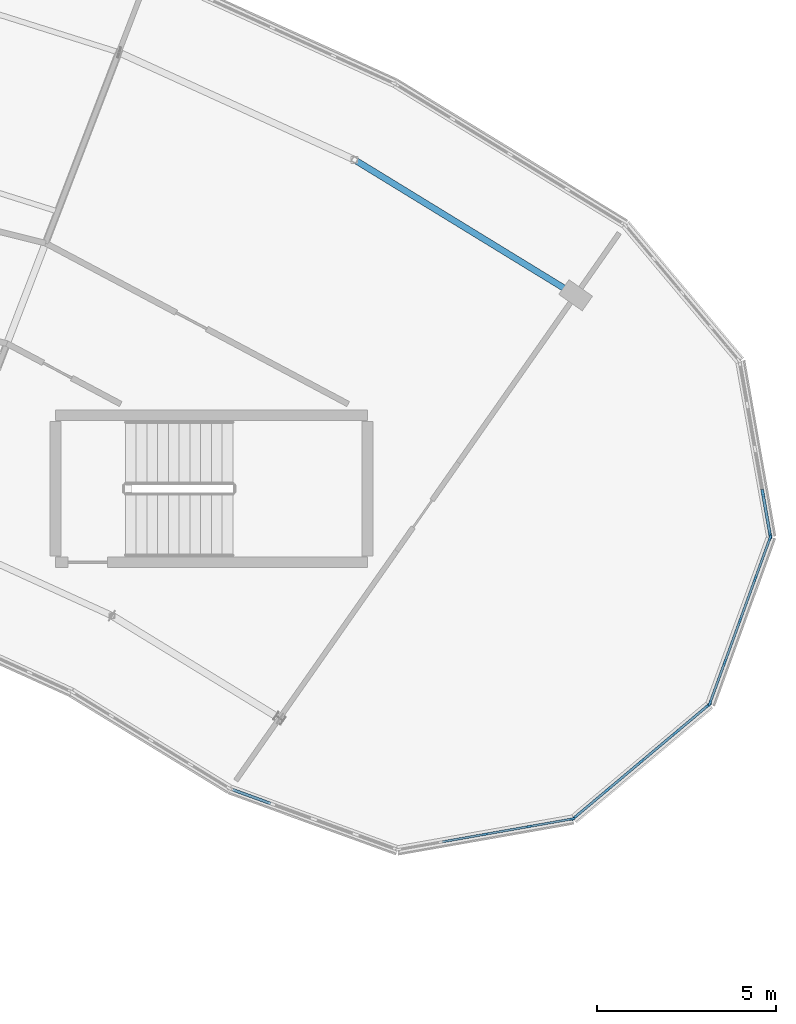
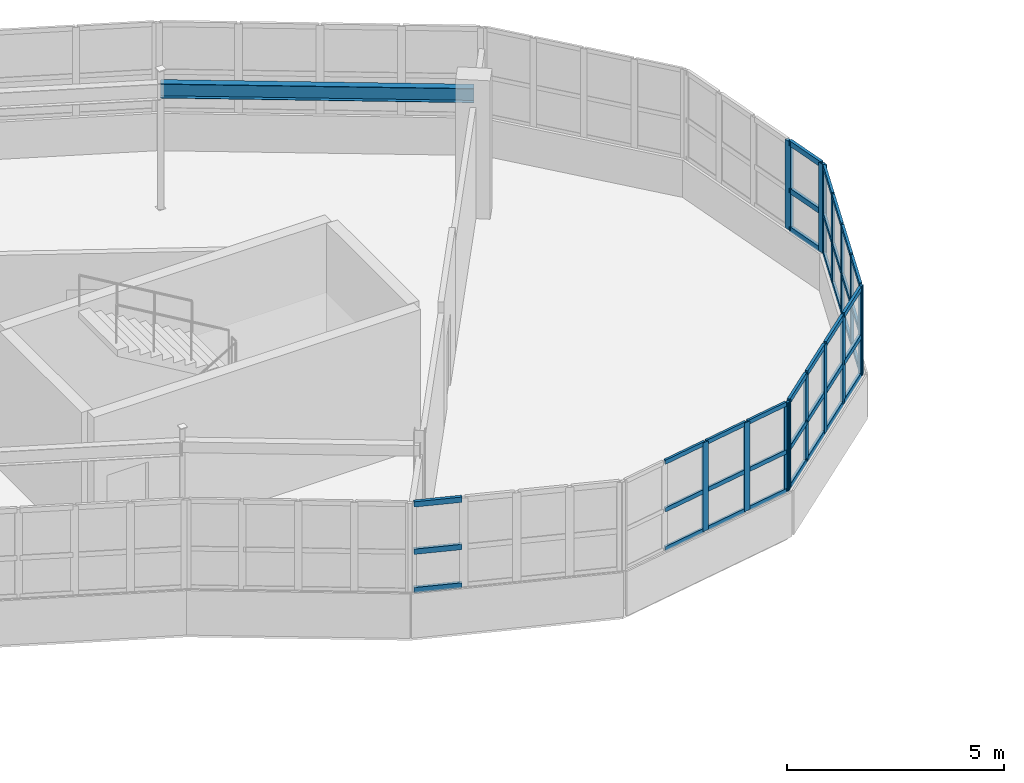
# One storey, part 34 of 60: 54 members, 1 beam, 5 elements without a shape of their own.
"""IFC4 building model written with IfcOpenShell, lengths in metres."""

import ifcopenshell
import ifcopenshell.guid

model = None  # the IFC model being written
_history = None  # IfcOwnerHistory: only IFC2X3 demands one
_inside = {}  # id of a spatial element -> (the spatial element, [elements in it])
_under = {}  # id of a project, library or spatial element -> (it, [spatial elements below it])
_declared = {}  # id of a project -> (the project, [libraries it declares])
_typed = {}  # id of a type object -> (the type object, [elements of that type])
_made_of = {}  # id of a material, layer set ... -> (it, [elements and type objects made of it])


def new_model(schema):
    """Start an empty IFC model of exactly this schema.

    Asked for "IFC4X3", IfcOpenShell would pick the latest addendum, in which some entities
    have other attributes; the version numbers below select the first issue.
    IFC2X3 requires an IfcOwnerHistory on every rooted entity: one is made here for all.
    """
    global model, _history
    if schema == "IFC4X3":
        model = ifcopenshell.file(schema_version=(4, 3, 0, 0))
    else:
        model = ifcopenshell.file(schema=schema)
    _inside.clear()
    _under.clear()
    _declared.clear()
    _typed.clear()
    _made_of.clear()
    _history = None
    if model.schema == "IFC2X3":
        org = make("IfcOrganization", Name="unknown")
        user = make(
            "IfcPersonAndOrganization",
            ThePerson=make("IfcPerson", FamilyName="unknown"),
            TheOrganization=org,
        )
        app = make(
            "IfcApplication",
            ApplicationDeveloper=org,
            Version="unknown",
            ApplicationFullName="unknown",
            ApplicationIdentifier="unknown",
        )
        _history = make(
            "IfcOwnerHistory",
            OwningUser=user,
            OwningApplication=app,
            ChangeAction="ADDED",
            CreationDate=0,
        )
    return model


def make(cls, **values):
    """One entity of the class cls with the attributes given. An attribute that is None is left unset."""
    return model.create_entity(
        cls, **{name: value for name, value in values.items() if value is not None}
    )


def rooted(cls, **values):
    """An entity with a GlobalId (a new one), such as an element, a storey or a relation."""
    return make(cls, GlobalId=ifcopenshell.guid.new(), OwnerHistory=_history, **values)


def si_unit(unit_type, name, prefix=None):
    """IfcSIUnit, for example si_unit("LENGTHUNIT", "METRE", prefix="MILLI")."""
    return make("IfcSIUnit", UnitType=unit_type, Prefix=prefix, Name=name)


def assignment(units):
    """IfcUnitAssignment: the units of a project."""
    return None if units is None else make("IfcUnitAssignment", Units=units)


def point(xyz):
    """IfcCartesianPoint."""
    return None if xyz is None else make("IfcCartesianPoint", Coordinates=xyz)


def direction(xyz):
    """IfcDirection."""
    return None if xyz is None else make("IfcDirection", DirectionRatios=xyz)


def frame(location, z_axis=None, x_axis=None):
    """IfcAxis2Placement3D, a coordinate frame: its origin and axes. An axis left out is left unset."""
    return make(
        "IfcAxis2Placement3D",
        Location=point(location),
        Axis=direction(z_axis),
        RefDirection=direction(x_axis),
    )


def frame_2d(location, x_axis=None):
    """IfcAxis2Placement2D, a coordinate frame in the plane: its origin and x axis."""
    return make(
        "IfcAxis2Placement2D", Location=point(location), RefDirection=direction(x_axis)
    )


def origin():
    """The frame at (0, 0, 0) with its axes left unset."""
    return frame((0.0, 0.0, 0.0))


def origin_2d():
    """The frame at (0, 0) in the plane with its x axis left unset."""
    return frame_2d((0.0, 0.0))


def place(relative_to, where):
    """IfcLocalPlacement: puts the frame where relative to a parent placement (None: the world)."""
    return make(
        "IfcLocalPlacement", PlacementRelTo=relative_to, RelativePlacement=where
    )


def context(
    kind, dimensions, precision=None, world=None, true_north=None, identifier=None
):
    """IfcGeometricRepresentationContext, for example the 3D "Model" context."""
    return make(
        "IfcGeometricRepresentationContext",
        ContextIdentifier=identifier,
        ContextType=kind,
        CoordinateSpaceDimension=dimensions,
        Precision=precision,
        WorldCoordinateSystem=world,
        TrueNorth=true_north,
    )


def subcontext(parent, identifier, kind, view, scale=None):
    """IfcGeometricRepresentationSubContext, for example "Body" below "Model"."""
    return make(
        "IfcGeometricRepresentationSubContext",
        ContextIdentifier=identifier,
        ContextType=kind,
        ParentContext=parent,
        TargetScale=scale,
        TargetView=view,
    )


def project(units=None, contexts=None):
    """IfcProject with its units and contexts."""
    return rooted(
        "IfcProject",
        Name="project",
        RepresentationContexts=contexts,
        UnitsInContext=assignment(units),
    )


def spatial(cls, under=None, at=None, **own):
    """A site, building, storey or space (cls), placed at a placement, below another one or the project."""
    s = rooted(cls, ObjectPlacement=at, **own)
    if under is not None:
        _under.setdefault(under.id(), (under, []))[1].append(s)
    return s


def profile(cls, at=None, kind="AREA", **sizes):
    """A parametric profile (cls). Its sizes go by their IFC names, for example OverallWidth=200.0."""
    return make(cls, ProfileType=kind, Position=at, **sizes)


def rectangle(**sizes):
    """IfcRectangleProfileDef."""
    return profile("IfcRectangleProfileDef", **sizes)


def i_section(**sizes):
    """IfcIShapeProfileDef."""
    return profile("IfcIShapeProfileDef", **sizes)


def extrude(swept, where, along, depth):
    """IfcExtrudedAreaSolid: the profile swept, set in the frame where, extruded along a direction by depth."""
    return make(
        "IfcExtrudedAreaSolid",
        SweptArea=swept,
        Position=where,
        ExtrudedDirection=direction(along),
        Depth=depth,
    )


def shape(context_of_items, identifier, shape_type, items):
    """IfcShapeRepresentation: the items that make up one representation, for example the "Body"."""
    return make(
        "IfcShapeRepresentation",
        ContextOfItems=context_of_items,
        RepresentationIdentifier=identifier,
        RepresentationType=shape_type,
        Items=items,
    )


def material(Name=None, Category=None):
    """IfcMaterial."""
    return make("IfcMaterial", Name=Name, Category=Category)


def layer(
    of_material, thickness, ventilated=None, Name=None, Category=None, Priority=None
):
    """IfcMaterialLayer: one layer of a wall or slab, of a material (None: an air gap)."""
    return make(
        "IfcMaterialLayer",
        Material=of_material,
        LayerThickness=thickness,
        IsVentilated=ventilated,
        Name=Name,
        Category=Category,
        Priority=Priority,
    )


def layer_set(layers, Name=None):
    """IfcMaterialLayerSet."""
    return make("IfcMaterialLayerSet", MaterialLayers=layers, LayerSetName=Name)


def material_profile(
    of_material, cross_section, Name=None, Category=None, Priority=None
):
    """IfcMaterialProfile: a cross section and its material."""
    return make(
        "IfcMaterialProfile",
        Name=Name,
        Material=of_material,
        Profile=cross_section,
        Priority=Priority,
        Category=Category,
    )


def profile_set(profiles, Name=None, composite=None):
    """IfcMaterialProfileSet."""
    return make(
        "IfcMaterialProfileSet",
        Name=Name,
        MaterialProfiles=profiles,
        CompositeProfile=composite,
    )


def made_of(thing, what):
    """Note that an element or type object is made of a material, layer set ...; save() writes the relation."""
    if what is not None:
        _made_of.setdefault(what.id(), (what, []))[1].append(thing)
    return thing


def type_object(cls, material=None, **own):
    """A type object (cls), such as IfcWallType, which elements share."""
    return made_of(rooted(cls, **own), material)


def element(
    cls,
    number,
    at=None,
    inside=None,
    cuts=None,
    type_object=None,
    material=None,
    context=None,
    identifier="Body",
    shape_type=None,
    held_by="IfcProductDefinitionShape",
    body=None,
    shapes=None,
    **own,
):
    """One element of the class cls, such as IfcWall. Its Tag is "e" and its number.

    at: its placement. inside: the storey or other place that contains it. cuts: it is an
    opening in that element (IfcRelVoidsElement). A single representation is given by context,
    identifier, shape_type and body (its items); several are given by shapes. held_by: the class
    of the entity that holds the representations. save() writes the other relations.
    """
    e = rooted(cls, Tag="e%d" % number, ObjectPlacement=at, **own)
    if body is not None:
        shapes = [shape(context, identifier, shape_type, body)]
    if shapes is not None:
        e.Representation = make(held_by, Representations=shapes)
    if inside is not None:
        _inside.setdefault(inside.id(), (inside, []))[1].append(e)
    if cuts is not None:
        rooted(
            "IfcRelVoidsElement", RelatingBuildingElement=cuts, RelatedOpeningElement=e
        )
    if type_object is not None:
        _typed.setdefault(type_object.id(), (type_object, []))[1].append(e)
    return made_of(e, material)


def aggregate(whole, parts):
    """IfcRelAggregates: a whole, such as a stair, and the parts it consists of."""
    return rooted("IfcRelAggregates", RelatingObject=whole, RelatedObjects=parts)


def save(model, path):
    """Write the relations noted so far, then the file.

    IfcRelAggregates (storeys below a building ...), IfcRelContainedInSpatialStructure (elements
    in a storey), IfcRelDefinesByType, IfcRelAssociatesMaterial and IfcRelDeclares: one each for
    every whole, place, type object, material and project.
    """
    for whole, parts in _under.values():
        aggregate(whole, parts)
    for where, things in _inside.values():
        rooted(
            "IfcRelContainedInSpatialStructure",
            RelatedElements=things,
            RelatingStructure=where,
        )
    for kind, things in _typed.values():
        rooted("IfcRelDefinesByType", RelatedObjects=things, RelatingType=kind)
    for what, things in _made_of.values():
        rooted("IfcRelAssociatesMaterial", RelatedObjects=things, RelatingMaterial=what)
    for by, libraries in _declared.values():
        rooted("IfcRelDeclares", RelatingContext=by, RelatedDefinitions=libraries)
    model.write(path)


model = new_model("IFC4")

# Units and contexts
model_context = context("Model", 3, precision=1e-05, world=origin(), true_north=direction((0.0, 1.0)))
body_context = subcontext(model_context, "Body", "Model", "MODEL_VIEW")
ifc_project = project(units=[si_unit("LENGTHUNIT", "METRE"), si_unit("AREAUNIT", "SQUARE_METRE"), si_unit("VOLUMEUNIT", "CUBIC_METRE"), si_unit("PLANEANGLEUNIT", "RADIAN"), si_unit("MASSUNIT", "GRAM", prefix="KILO")], contexts=[model_context])

# Site, building, storey
site_placement = place(None, origin())
site = spatial("IfcSite", under=ifc_project, at=site_placement, CompositionType="ELEMENT")
building_placement = place(site_placement, origin())
building = spatial("IfcBuilding", under=site, at=building_placement, Name="Tarnwether General Hospital", CompositionType="ELEMENT")
storey_placement = place(building_placement, frame((0.0, 0.0, 26.10009765625)))
storey = spatial("IfcBuildingStorey", under=building, at=storey_placement, Name="L06", CompositionType="ELEMENT", Elevation=26.10009765625)

# Beam
ifc_material_1 = material(Name="Steel Grade 350 (350 MPa)", Category="steel")
ifc_material_profile_1 = material_profile(ifc_material_1, i_section(OverallWidth=0.177978515625, OverallDepth=0.403076171875, WebThickness=0.007568359375, FlangeThickness=0.010986328125, at=origin_2d()), Name="410UB53.7")
ifc_profile_set_1 = profile_set([ifc_material_profile_1], Name="Steel Grade 350 (350 MPa)")
beam_type = type_object("IfcBeamType", Name="BM-SP2", PredefinedType="SPANDREL", material=ifc_profile_set_1)
beam_placement = place(storey_placement, frame((119.79296875, 115.27001953125, 3.343505859375), z_axis=(0.852678430503, -0.522436114902, 0.0), x_axis=(0.522436114902, 0.852678430503, 0.0)))
element("IfcBeam", 1, at=beam_placement, inside=storey, type_object=beam_type, Name="Curved Ward NW Outer Spandrel BMG-L06-11979_11527-12596_11149-2043", PredefinedType="SPANDREL", context=body_context, shape_type="SweptSolid", body=[
    extrude(i_section(OverallWidth=0.177978515625, OverallDepth=0.403076171875, WebThickness=0.007568359375, FlangeThickness=0.010986328125, at=origin_2d()), origin(), (0.0, 0.0, 1.0), 7.22802734375),
])

# Curtain wall, members
ifc_material_2 = material(Name="Anodised aluminium", Category="aluminium")
ifc_layer = layer(ifc_material_2, 0.159912109375)
ifc_layer_set = layer_set([ifc_layer], Name="Anodised aluminium")
curtain_wall_type = type_object("IfcCurtainWallType", Name="CW-04", PredefinedType="NOTDEFINED", material=ifc_layer_set)
curtain_wall_1_placement = place(storey_placement, origin())
curtain_wall_1 = element("IfcCurtainWall", 2, at=curtain_wall_1_placement, inside=storey, type_object=curtain_wall_type, Name="Curtain Wall CWG-L06-1259_969-0113", PredefinedType="NOTDEFINED")
ifc_material_3 = material(Name="Anodised aluminium", Category="aluminium")
ifc_material_profile_2 = material_profile(ifc_material_3, rectangle(XDim=0.06005859375, YDim=0.159912109375, at=origin_2d()), Name="ALU-MUL-60x160")
ifc_profile_set_2 = profile_set([ifc_material_profile_2], Name="Anodised aluminium")
member_type_1 = type_object("IfcMemberType", Name="CW-ML1", PredefinedType="MULLION", material=ifc_profile_set_2)
member_1_placement = place(storey_placement, frame((125.853515625, 96.889892578125, 1.0498046875), z_axis=(0.0, 0.0, 1.0), x_axis=(0.173659059054, -0.984805834268, 0.0)))
member_1 = element("IfcMember", 3, at=member_1_placement, type_object=member_type_1, Name="CW-04 mullion 1", PredefinedType="MULLION", context=body_context, shape_type="SweptSolid", body=[
    extrude(rectangle(XDim=0.06005859375, YDim=0.159912109375, at=origin_2d()), origin(), (0.0, 0.0, 1.0), 2.4951171875),
])
member_2_placement = place(storey_placement, frame((124.659423828125, 96.67919921875, 1.0498046875), z_axis=(0.0, 0.0, 1.0), x_axis=(0.173659059054, -0.984805834268, 0.0)))
member_2 = element("IfcMember", 4, at=member_2_placement, type_object=member_type_1, Name="CW-04 mullion 2", PredefinedType="MULLION", context=body_context, shape_type="SweptSolid", body=[
    extrude(rectangle(XDim=0.06005859375, YDim=0.159912109375, at=origin_2d()), origin(), (0.0, 0.0, 1.0), 2.4951171875),
])
member_3_placement = place(storey_placement, frame((123.43603515625, 96.46337890625, 1.0498046875), z_axis=(0.0, 0.0, 1.0), x_axis=(0.173659059054, -0.984805834268, 0.0)))
member_3 = element("IfcMember", 5, at=member_3_placement, type_object=member_type_1, Name="CW-04 mullion 3", PredefinedType="MULLION", context=body_context, shape_type="SweptSolid", body=[
    extrude(rectangle(XDim=0.06005859375, YDim=0.159912109375, at=origin_2d()), origin(), (0.0, 0.0, 1.0), 2.4951171875),
])

curtain_wall_2_placement = place(storey_placement, origin())
curtain_wall_2 = element("IfcCurtainWall", 6, at=curtain_wall_2_placement, inside=storey, type_object=curtain_wall_type, Name="Curtain Wall CWG-L06-1297_1001-0114", PredefinedType="NOTDEFINED")
ifc_material_4 = material(Name="Anodised aluminium", Category="aluminium")
ifc_material_profile_3 = material_profile(ifc_material_4, rectangle(XDim=0.070068359375, YDim=0.179931640625, at=origin_2d()), Name="ALU-MUL-70x180")
ifc_profile_set_3 = profile_set([ifc_material_profile_3], Name="Anodised aluminium")
member_type_2 = type_object("IfcMemberType", Name="CW-ML2", PredefinedType="MULLION", material=ifc_profile_set_3)
member_4_placement = place(storey_placement, frame((129.6630859375, 100.0673828125, 1.0498046875), z_axis=(0.0, 0.0, 1.0), x_axis=(0.64285227611, -0.765990176896, 0.0)))
member_4 = element("IfcMember", 7, at=member_4_placement, type_object=member_type_2, Name="CW-04 mullion 1", PredefinedType="MULLION", context=body_context, shape_type="SweptSolid", body=[
    extrude(rectangle(XDim=0.070068359375, YDim=0.179931640625, at=origin_2d()), origin(), (0.0, 0.0, 1.0), 2.4951171875),
])
member_5_placement = place(storey_placement, frame((128.73828125, 99.291259765625, 1.0498046875), z_axis=(0.0, 0.0, 1.0), x_axis=(0.64285227611, -0.765990176896, 0.0)))
member_5 = element("IfcMember", 8, at=member_5_placement, type_object=member_type_2, Name="CW-04 mullion 2", PredefinedType="MULLION", context=body_context, shape_type="SweptSolid", body=[
    extrude(rectangle(XDim=0.070068359375, YDim=0.179931640625, at=origin_2d()), origin(), (0.0, 0.0, 1.0), 2.4951171875),
])
member_6_placement = place(storey_placement, frame((127.78662109375, 98.492431640625, 1.0498046875), z_axis=(0.0, 0.0, 1.0), x_axis=(0.64285227611, -0.765990176896, 0.0)))
member_6 = element("IfcMember", 9, at=member_6_placement, type_object=member_type_2, Name="CW-04 mullion 3", PredefinedType="MULLION", context=body_context, shape_type="SweptSolid", body=[
    extrude(rectangle(XDim=0.070068359375, YDim=0.179931640625, at=origin_2d()), origin(), (0.0, 0.0, 1.0), 2.4951171875),
])
member_7_placement = place(storey_placement, frame((126.834716796875, 97.69384765625, 1.0498046875), z_axis=(0.0, 0.0, 1.0), x_axis=(0.64285227611, -0.765990176896, 0.0)))
member_7 = element("IfcMember", 10, at=member_7_placement, type_object=member_type_2, Name="CW-04 mullion 4", PredefinedType="MULLION", context=body_context, shape_type="SweptSolid", body=[
    extrude(rectangle(XDim=0.070068359375, YDim=0.179931640625, at=origin_2d()), origin(), (0.0, 0.0, 1.0), 2.4951171875),
])
member_8_placement = place(storey_placement, frame((125.909912109375, 96.91748046875, 1.0498046875), z_axis=(0.0, 0.0, 1.0), x_axis=(0.64285227611, -0.765990176896, 0.0)))
member_8 = element("IfcMember", 11, at=member_8_placement, type_object=member_type_2, Name="CW-04 mullion 5", PredefinedType="MULLION", context=body_context, shape_type="SweptSolid", body=[
    extrude(rectangle(XDim=0.070068359375, YDim=0.179931640625, at=origin_2d()), origin(), (0.0, 0.0, 1.0), 2.4951171875),
])

curtain_wall_3_placement = place(storey_placement, origin())
curtain_wall_3 = element("IfcCurtainWall", 12, at=curtain_wall_3_placement, inside=storey, type_object=curtain_wall_type, Name="Curtain Wall CWG-L06-1314_1048-0115", PredefinedType="NOTDEFINED")
ifc_material_5 = material(Name="Anodised aluminium", Category="aluminium")
ifc_material_profile_4 = material_profile(ifc_material_5, rectangle(XDim=0.06494140625, YDim=0.169921875, at=origin_2d()), Name="ALU-MUL-65x170")
ifc_profile_set_4 = profile_set([ifc_material_profile_4], Name="Anodised aluminium")
member_type_3 = type_object("IfcMemberType", Name="CW-ML3", PredefinedType="MULLION", material=ifc_profile_set_4)
member_9_placement = place(storey_placement, frame((131.3779296875, 104.728515625, 1.0498046875), z_axis=(0.0, 0.0, 1.0), x_axis=(0.939717006582, -0.341953136469, 0.0)))
member_9 = element("IfcMember", 13, at=member_9_placement, type_object=member_type_3, Name="CW-04 mullion 1", PredefinedType="MULLION", context=body_context, shape_type="SweptSolid", body=[
    extrude(rectangle(XDim=0.06494140625, YDim=0.169921875, at=origin_2d()), origin(), (0.0, 0.0, 1.0), 2.4951171875),
])
member_10_placement = place(storey_placement, frame((130.96435546875, 103.591796875, 1.0498046875), z_axis=(0.0, 0.0, 1.0), x_axis=(0.939717006582, -0.341953136469, 0.0)))
member_10 = element("IfcMember", 14, at=member_10_placement, type_object=member_type_3, Name="CW-04 mullion 2", PredefinedType="MULLION", context=body_context, shape_type="SweptSolid", body=[
    extrude(rectangle(XDim=0.06494140625, YDim=0.169921875, at=origin_2d()), origin(), (0.0, 0.0, 1.0), 2.4951171875),
])
member_11_placement = place(storey_placement, frame((130.53955078125, 102.424560546875, 1.0498046875), z_axis=(0.0, 0.0, 1.0), x_axis=(0.939717006582, -0.341953136469, 0.0)))
member_11 = element("IfcMember", 15, at=member_11_placement, type_object=member_type_3, Name="CW-04 mullion 3", PredefinedType="MULLION", context=body_context, shape_type="SweptSolid", body=[
    extrude(rectangle(XDim=0.06494140625, YDim=0.169921875, at=origin_2d()), origin(), (0.0, 0.0, 1.0), 2.4951171875),
])
member_12_placement = place(storey_placement, frame((130.11474609375, 101.25732421875, 1.0498046875), z_axis=(0.0, 0.0, 1.0), x_axis=(0.939717006582, -0.341953136469, 0.0)))
member_12 = element("IfcMember", 16, at=member_12_placement, type_object=member_type_3, Name="CW-04 mullion 4", PredefinedType="MULLION", context=body_context, shape_type="SweptSolid", body=[
    extrude(rectangle(XDim=0.06494140625, YDim=0.169921875, at=origin_2d()), origin(), (0.0, 0.0, 1.0), 2.4951171875),
])
member_13_placement = place(storey_placement, frame((129.701171875, 100.12060546875, 1.0498046875), z_axis=(0.0, 0.0, 1.0), x_axis=(0.939717006582, -0.341953136469, 0.0)))
member_13 = element("IfcMember", 17, at=member_13_placement, type_object=member_type_3, Name="CW-04 mullion 5", PredefinedType="MULLION", context=body_context, shape_type="SweptSolid", body=[
    extrude(rectangle(XDim=0.06494140625, YDim=0.169921875, at=origin_2d()), origin(), (0.0, 0.0, 1.0), 2.4951171875),
])

curtain_wall_4_placement = place(storey_placement, origin())
curtain_wall_4 = element("IfcCurtainWall", 18, at=curtain_wall_4_placement, inside=storey, type_object=curtain_wall_type, Name="Curtain Wall CWG-L06-1305_1097-0116", PredefinedType="NOTDEFINED")
ifc_material_6 = material(Name="Anodised aluminium", Category="aluminium")
ifc_material_profile_5 = material_profile(ifc_material_6, rectangle(XDim=0.080078125, YDim=0.199951171875, at=origin_2d()), Name="ALU-MUL-80x200")
ifc_profile_set_5 = profile_set([ifc_material_profile_5], Name="Anodised aluminium")
member_type_4 = type_object("IfcMemberType", Name="CW-ML4", PredefinedType="MULLION", material=ifc_profile_set_5)
member_14_placement = place(storey_placement, frame((131.173583984375, 105.982421875, 1.0498046875), z_axis=(0.0, 0.0, 1.0), x_axis=(0.984840230098, 0.173463890135, 0.0)))
member_14 = element("IfcMember", 19, at=member_14_placement, type_object=member_type_4, Name="CW-04 mullion 4", PredefinedType="MULLION", context=body_context, shape_type="SweptSolid", body=[
    extrude(rectangle(XDim=0.080078125, YDim=0.199951171875, at=origin_2d()), origin(), (0.0, 0.0, 1.0), 2.4951171875),
])
member_15_placement = place(storey_placement, frame((131.382080078125, 104.79833984375, 1.0498046875), z_axis=(0.0, 0.0, 1.0), x_axis=(0.984840230098, 0.173463890135, 0.0)))
member_15 = element("IfcMember", 20, at=member_15_placement, type_object=member_type_4, Name="CW-04 mullion 5", PredefinedType="MULLION", context=body_context, shape_type="SweptSolid", body=[
    extrude(rectangle(XDim=0.080078125, YDim=0.199951171875, at=origin_2d()), origin(), (0.0, 0.0, 1.0), 2.4951171875),
])

# Member
ifc_material_7 = material(Name="Anodised aluminium", Category="aluminium")
ifc_material_profile_6 = material_profile(ifc_material_7, rectangle(XDim=0.06005859375, YDim=0.1201171875, at=origin_2d()), Name="ALU-TRN-60x120")
ifc_profile_set_6 = profile_set([ifc_material_profile_6], Name="Anodised aluminium")
member_type_5 = type_object("IfcMemberType", Name="CW-TR1", PredefinedType="USERDEFINED", material=ifc_profile_set_6)
member_16_placement = place(storey_placement, frame((125.823974609375, 96.884521484375, 1.079833984375), z_axis=(-0.984834698435, -0.173495293185, 0.0), x_axis=(0.173495293185, -0.984834698435, 0.0)))
member_16 = element("IfcMember", 21, at=member_16_placement, type_object=member_type_5, Name="CW-04 transom 1.1", ObjectType="TRANSOM", PredefinedType="USERDEFINED", context=body_context, shape_type="SweptSolid", body=[
    extrude(rectangle(XDim=0.06005859375, YDim=0.1201171875, at=origin_2d()), origin(), (0.0, 0.0, 1.0), 1.152587890625),
])

member_17_placement = place(storey_placement, frame((125.823974609375, 96.884521484375, 2.172607421875), z_axis=(-0.984834698435, -0.173495293185, 0.0), x_axis=(0.173495293185, -0.984834698435, 0.0)))
member_17 = element("IfcMember", 22, at=member_17_placement, type_object=member_type_5, Name="CW-04 transom 1.2", ObjectType="TRANSOM", PredefinedType="USERDEFINED", context=body_context, shape_type="SweptSolid", body=[
    extrude(rectangle(XDim=0.06005859375, YDim=0.1201171875, at=origin_2d()), origin(), (0.0, 0.0, 1.0), 1.152587890625),
])

member_18_placement = place(storey_placement, frame((125.823974609375, 96.884521484375, 3.514892578125), z_axis=(-0.984834698435, -0.173495293185, 0.0), x_axis=(0.173495293185, -0.984834698435, 0.0)))
member_18 = element("IfcMember", 23, at=member_18_placement, type_object=member_type_5, Name="CW-04 transom 1.3", ObjectType="TRANSOM", PredefinedType="USERDEFINED", context=body_context, shape_type="SweptSolid", body=[
    extrude(rectangle(XDim=0.06005859375, YDim=0.1201171875, at=origin_2d()), origin(), (0.0, 0.0, 1.0), 1.152587890625),
])

member_19_placement = place(storey_placement, frame((124.6298828125, 96.674072265625, 1.079833984375), z_axis=(-0.984804340486, -0.173667529954, 0.0), x_axis=(0.173667529954, -0.984804340486, 0.0)))
member_19 = element("IfcMember", 24, at=member_19_placement, type_object=member_type_5, Name="CW-04 transom 2.1", ObjectType="TRANSOM", PredefinedType="USERDEFINED", context=body_context, shape_type="SweptSolid", body=[
    extrude(rectangle(XDim=0.06005859375, YDim=0.1201171875, at=origin_2d()), origin(), (0.0, 0.0, 1.0), 1.182373046875),
])

member_20_placement = place(storey_placement, frame((124.6298828125, 96.674072265625, 2.172607421875), z_axis=(-0.984804340486, -0.173667529954, 0.0), x_axis=(0.173667529954, -0.984804340486, 0.0)))
member_20 = element("IfcMember", 25, at=member_20_placement, type_object=member_type_5, Name="CW-04 transom 2.2", ObjectType="TRANSOM", PredefinedType="USERDEFINED", context=body_context, shape_type="SweptSolid", body=[
    extrude(rectangle(XDim=0.06005859375, YDim=0.1201171875, at=origin_2d()), origin(), (0.0, 0.0, 1.0), 1.182373046875),
])

member_21_placement = place(storey_placement, frame((124.6298828125, 96.674072265625, 3.514892578125), z_axis=(-0.984804340486, -0.173667529954, 0.0), x_axis=(0.173667529954, -0.984804340486, 0.0)))
member_21 = element("IfcMember", 26, at=member_21_placement, type_object=member_type_5, Name="CW-04 transom 2.3", ObjectType="TRANSOM", PredefinedType="USERDEFINED", context=body_context, shape_type="SweptSolid", body=[
    extrude(rectangle(XDim=0.06005859375, YDim=0.1201171875, at=origin_2d()), origin(), (0.0, 0.0, 1.0), 1.182373046875),
])

member_22_placement = place(storey_placement, frame((123.406494140625, 96.458251953125, 1.079833984375), z_axis=(-0.984810566748, -0.17363221942, 0.0), x_axis=(0.17363221942, -0.984810566748, 0.0)))
member_22 = element("IfcMember", 27, at=member_22_placement, type_object=member_type_5, Name="CW-04 transom 3.1", ObjectType="TRANSOM", PredefinedType="USERDEFINED", context=body_context, shape_type="SweptSolid", body=[
    extrude(rectangle(XDim=0.06005859375, YDim=0.1201171875, at=origin_2d()), origin(), (0.0, 0.0, 1.0), 1.1826171875),
])

member_23_placement = place(storey_placement, frame((123.406494140625, 96.458251953125, 2.172607421875), z_axis=(-0.984810566748, -0.17363221942, 0.0), x_axis=(0.17363221942, -0.984810566748, 0.0)))
member_23 = element("IfcMember", 28, at=member_23_placement, type_object=member_type_5, Name="CW-04 transom 3.2", ObjectType="TRANSOM", PredefinedType="USERDEFINED", context=body_context, shape_type="SweptSolid", body=[
    extrude(rectangle(XDim=0.06005859375, YDim=0.1201171875, at=origin_2d()), origin(), (0.0, 0.0, 1.0), 1.1826171875),
])

member_24_placement = place(storey_placement, frame((123.406494140625, 96.458251953125, 3.514892578125), z_axis=(-0.984810566748, -0.17363221942, 0.0), x_axis=(0.17363221942, -0.984810566748, 0.0)))
member_24 = element("IfcMember", 29, at=member_24_placement, type_object=member_type_5, Name="CW-04 transom 3.3", ObjectType="TRANSOM", PredefinedType="USERDEFINED", context=body_context, shape_type="SweptSolid", body=[
    extrude(rectangle(XDim=0.06005859375, YDim=0.1201171875, at=origin_2d()), origin(), (0.0, 0.0, 1.0), 1.1826171875),
])

aggregate(curtain_wall_1, [member_1, member_2, member_3, member_16, member_17, member_18, member_19, member_20, member_21, member_22, member_23, member_24])

ifc_material_8 = material(Name="Anodised aluminium", Category="aluminium")
ifc_material_profile_7 = material_profile(ifc_material_8, rectangle(XDim=0.070068359375, YDim=0.139892578125, at=origin_2d()), Name="ALU-TRN-70x140")
ifc_profile_set_7 = profile_set([ifc_material_profile_7], Name="Anodised aluminium")
member_type_6 = type_object("IfcMemberType", Name="CW-TR2", PredefinedType="USERDEFINED", material=ifc_profile_set_7)
member_25_placement = place(storey_placement, frame((129.636474609375, 100.044921875, 1.0849609375), z_axis=(-0.766017660128, -0.642819527062, 0.0), x_axis=(0.642819527062, -0.766017660128, 0.0)))
member_25 = element("IfcMember", 30, at=member_25_placement, type_object=member_type_6, Name="CW-04 transom 1.1", ObjectType="TRANSOM", PredefinedType="USERDEFINED", context=body_context, shape_type="SweptSolid", body=[
    extrude(rectangle(XDim=0.070068359375, YDim=0.139892578125, at=origin_2d()), origin(), (0.0, 0.0, 1.0), 1.137451171875),
])

member_26_placement = place(storey_placement, frame((129.636474609375, 100.044921875, 2.172607421875), z_axis=(-0.766017660128, -0.642819527062, 0.0), x_axis=(0.642819527062, -0.766017660128, 0.0)))
member_26 = element("IfcMember", 31, at=member_26_placement, type_object=member_type_6, Name="CW-04 transom 1.2", ObjectType="TRANSOM", PredefinedType="USERDEFINED", context=body_context, shape_type="SweptSolid", body=[
    extrude(rectangle(XDim=0.070068359375, YDim=0.139892578125, at=origin_2d()), origin(), (0.0, 0.0, 1.0), 1.137451171875),
])

member_27_placement = place(storey_placement, frame((129.636474609375, 100.044921875, 3.510009765625), z_axis=(-0.766017660128, -0.642819527062, 0.0), x_axis=(0.642819527062, -0.766017660128, 0.0)))
member_27 = element("IfcMember", 32, at=member_27_placement, type_object=member_type_6, Name="CW-04 transom 1.3", ObjectType="TRANSOM", PredefinedType="USERDEFINED", context=body_context, shape_type="SweptSolid", body=[
    extrude(rectangle(XDim=0.070068359375, YDim=0.139892578125, at=origin_2d()), origin(), (0.0, 0.0, 1.0), 1.137451171875),
])

member_28_placement = place(storey_placement, frame((128.71142578125, 99.268798828125, 1.0849609375), z_axis=(-0.765946792519, -0.642903967191, 0.0), x_axis=(0.642903967191, -0.765946792519, 0.0)))
member_28 = element("IfcMember", 33, at=member_28_placement, type_object=member_type_6, Name="CW-04 transom 2.1", ObjectType="TRANSOM", PredefinedType="USERDEFINED", context=body_context, shape_type="SweptSolid", body=[
    extrude(rectangle(XDim=0.070068359375, YDim=0.139892578125, at=origin_2d()), origin(), (0.0, 0.0, 1.0), 1.172607421875),
])

member_29_placement = place(storey_placement, frame((128.71142578125, 99.268798828125, 2.172607421875), z_axis=(-0.765946792519, -0.642903967191, 0.0), x_axis=(0.642903967191, -0.765946792519, 0.0)))
member_29 = element("IfcMember", 34, at=member_29_placement, type_object=member_type_6, Name="CW-04 transom 2.2", ObjectType="TRANSOM", PredefinedType="USERDEFINED", context=body_context, shape_type="SweptSolid", body=[
    extrude(rectangle(XDim=0.070068359375, YDim=0.139892578125, at=origin_2d()), origin(), (0.0, 0.0, 1.0), 1.172607421875),
])

member_30_placement = place(storey_placement, frame((128.71142578125, 99.268798828125, 3.510009765625), z_axis=(-0.765946792519, -0.642903967191, 0.0), x_axis=(0.642903967191, -0.765946792519, 0.0)))
member_30 = element("IfcMember", 35, at=member_30_placement, type_object=member_type_6, Name="CW-04 transom 2.3", ObjectType="TRANSOM", PredefinedType="USERDEFINED", context=body_context, shape_type="SweptSolid", body=[
    extrude(rectangle(XDim=0.070068359375, YDim=0.139892578125, at=origin_2d()), origin(), (0.0, 0.0, 1.0), 1.172607421875),
])

member_31_placement = place(storey_placement, frame((127.759765625, 98.469970703125, 1.0849609375), z_axis=(-0.766049317662, -0.642781800387, 0.0), x_axis=(0.642781800387, -0.766049317662, 0.0)))
member_31 = element("IfcMember", 36, at=member_31_placement, type_object=member_type_6, Name="CW-04 transom 3.1", ObjectType="TRANSOM", PredefinedType="USERDEFINED", context=body_context, shape_type="SweptSolid", body=[
    extrude(rectangle(XDim=0.070068359375, YDim=0.139892578125, at=origin_2d()), origin(), (0.0, 0.0, 1.0), 1.172607421875),
])

member_32_placement = place(storey_placement, frame((127.759765625, 98.469970703125, 2.172607421875), z_axis=(-0.766049317662, -0.642781800387, 0.0), x_axis=(0.642781800387, -0.766049317662, 0.0)))
member_32 = element("IfcMember", 37, at=member_32_placement, type_object=member_type_6, Name="CW-04 transom 3.2", ObjectType="TRANSOM", PredefinedType="USERDEFINED", context=body_context, shape_type="SweptSolid", body=[
    extrude(rectangle(XDim=0.070068359375, YDim=0.139892578125, at=origin_2d()), origin(), (0.0, 0.0, 1.0), 1.172607421875),
])

member_33_placement = place(storey_placement, frame((127.759765625, 98.469970703125, 3.510009765625), z_axis=(-0.766049317662, -0.642781800387, 0.0), x_axis=(0.642781800387, -0.766049317662, 0.0)))
member_33 = element("IfcMember", 38, at=member_33_placement, type_object=member_type_6, Name="CW-04 transom 3.3", ObjectType="TRANSOM", PredefinedType="USERDEFINED", context=body_context, shape_type="SweptSolid", body=[
    extrude(rectangle(XDim=0.070068359375, YDim=0.139892578125, at=origin_2d()), origin(), (0.0, 0.0, 1.0), 1.172607421875),
])

member_34_placement = place(storey_placement, frame((126.807861328125, 97.671142578125, 1.0849609375), z_axis=(-0.766017660128, -0.642819527062, 0.0), x_axis=(0.642819527062, -0.766017660128, 0.0)))
member_34 = element("IfcMember", 39, at=member_34_placement, type_object=member_type_6, Name="CW-04 transom 4.1", ObjectType="TRANSOM", PredefinedType="USERDEFINED", context=body_context, shape_type="SweptSolid", body=[
    extrude(rectangle(XDim=0.070068359375, YDim=0.139892578125, at=origin_2d()), origin(), (0.0, 0.0, 1.0), 1.137451171875),
])

member_35_placement = place(storey_placement, frame((126.807861328125, 97.671142578125, 2.172607421875), z_axis=(-0.766017660128, -0.642819527062, 0.0), x_axis=(0.642819527062, -0.766017660128, 0.0)))
member_35 = element("IfcMember", 40, at=member_35_placement, type_object=member_type_6, Name="CW-04 transom 4.2", ObjectType="TRANSOM", PredefinedType="USERDEFINED", context=body_context, shape_type="SweptSolid", body=[
    extrude(rectangle(XDim=0.070068359375, YDim=0.139892578125, at=origin_2d()), origin(), (0.0, 0.0, 1.0), 1.137451171875),
])

member_36_placement = place(storey_placement, frame((126.807861328125, 97.671142578125, 3.510009765625), z_axis=(-0.766017660128, -0.642819527062, 0.0), x_axis=(0.642819527062, -0.766017660128, 0.0)))
member_36 = element("IfcMember", 41, at=member_36_placement, type_object=member_type_6, Name="CW-04 transom 4.3", ObjectType="TRANSOM", PredefinedType="USERDEFINED", context=body_context, shape_type="SweptSolid", body=[
    extrude(rectangle(XDim=0.070068359375, YDim=0.139892578125, at=origin_2d()), origin(), (0.0, 0.0, 1.0), 1.137451171875),
])

aggregate(curtain_wall_2, [member_4, member_5, member_6, member_7, member_8, member_25, member_26, member_27, member_28, member_29, member_30, member_31, member_32, member_33, member_34, member_35, member_36])

ifc_material_9 = material(Name="Anodised aluminium", Category="aluminium")
ifc_material_profile_8 = material_profile(ifc_material_9, rectangle(XDim=0.06494140625, YDim=0.1298828125, at=origin_2d()), Name="ALU-TRN-65x130")
ifc_profile_set_8 = profile_set([ifc_material_profile_8], Name="Anodised aluminium")
member_type_7 = type_object("IfcMemberType", Name="CW-TR3", PredefinedType="USERDEFINED", material=ifc_profile_set_8)
member_37_placement = place(storey_placement, frame((131.36669921875, 104.697998046875, 1.08251953125), z_axis=(-0.341897184747, -0.939737364939, 0.0), x_axis=(0.939737364939, -0.341897184747, 0.0)))
member_37 = element("IfcMember", 42, at=member_37_placement, type_object=member_type_7, Name="CW-04 transom 1.1", ObjectType="TRANSOM", PredefinedType="USERDEFINED", context=body_context, shape_type="SweptSolid", body=[
    extrude(rectangle(XDim=0.06494140625, YDim=0.1298828125, at=origin_2d()), origin(), (0.0, 0.0, 1.0), 1.144775390625),
])

member_38_placement = place(storey_placement, frame((131.36669921875, 104.697998046875, 2.172607421875), z_axis=(-0.341897184747, -0.939737364939, 0.0), x_axis=(0.939737364939, -0.341897184747, 0.0)))
member_38 = element("IfcMember", 43, at=member_38_placement, type_object=member_type_7, Name="CW-04 transom 1.2", ObjectType="TRANSOM", PredefinedType="USERDEFINED", context=body_context, shape_type="SweptSolid", body=[
    extrude(rectangle(XDim=0.06494140625, YDim=0.1298828125, at=origin_2d()), origin(), (0.0, 0.0, 1.0), 1.144775390625),
])

member_39_placement = place(storey_placement, frame((131.36669921875, 104.697998046875, 3.512451171875), z_axis=(-0.341897184747, -0.939737364939, 0.0), x_axis=(0.939737364939, -0.341897184747, 0.0)))
member_39 = element("IfcMember", 44, at=member_39_placement, type_object=member_type_7, Name="CW-04 transom 1.3", ObjectType="TRANSOM", PredefinedType="USERDEFINED", context=body_context, shape_type="SweptSolid", body=[
    extrude(rectangle(XDim=0.06494140625, YDim=0.1298828125, at=origin_2d()), origin(), (0.0, 0.0, 1.0), 1.144775390625),
])

member_40_placement = place(storey_placement, frame((130.953125, 103.561279296875, 1.08251953125), z_axis=(-0.341992832203, -0.939702560772, 0.0), x_axis=(0.939702560772, -0.341992832203, 0.0)))
member_40 = element("IfcMember", 45, at=member_40_placement, type_object=member_type_7, Name="CW-04 transom 2.1", ObjectType="TRANSOM", PredefinedType="USERDEFINED", context=body_context, shape_type="SweptSolid", body=[
    extrude(rectangle(XDim=0.06494140625, YDim=0.1298828125, at=origin_2d()), origin(), (0.0, 0.0, 1.0), 1.17724609375),
])

member_41_placement = place(storey_placement, frame((130.953125, 103.561279296875, 2.172607421875), z_axis=(-0.341992832203, -0.939702560772, 0.0), x_axis=(0.939702560772, -0.341992832203, 0.0)))
member_41 = element("IfcMember", 46, at=member_41_placement, type_object=member_type_7, Name="CW-04 transom 2.2", ObjectType="TRANSOM", PredefinedType="USERDEFINED", context=body_context, shape_type="SweptSolid", body=[
    extrude(rectangle(XDim=0.06494140625, YDim=0.1298828125, at=origin_2d()), origin(), (0.0, 0.0, 1.0), 1.17724609375),
])

member_42_placement = place(storey_placement, frame((130.953125, 103.561279296875, 3.512451171875), z_axis=(-0.341992832203, -0.939702560772, 0.0), x_axis=(0.939702560772, -0.341992832203, 0.0)))
member_42 = element("IfcMember", 47, at=member_42_placement, type_object=member_type_7, Name="CW-04 transom 2.3", ObjectType="TRANSOM", PredefinedType="USERDEFINED", context=body_context, shape_type="SweptSolid", body=[
    extrude(rectangle(XDim=0.06494140625, YDim=0.1298828125, at=origin_2d()), origin(), (0.0, 0.0, 1.0), 1.17724609375),
])

member_43_placement = place(storey_placement, frame((130.5283203125, 102.39404296875, 1.08251953125), z_axis=(-0.341809675268, -0.939769198204, 0.0), x_axis=(0.939769198204, -0.341809675268, 0.0)))
member_43 = element("IfcMember", 48, at=member_43_placement, type_object=member_type_7, Name="CW-04 transom 3.1", ObjectType="TRANSOM", PredefinedType="USERDEFINED", context=body_context, shape_type="SweptSolid", body=[
    extrude(rectangle(XDim=0.06494140625, YDim=0.1298828125, at=origin_2d()), origin(), (0.0, 0.0, 1.0), 1.177001953125),
])

member_44_placement = place(storey_placement, frame((130.5283203125, 102.39404296875, 2.172607421875), z_axis=(-0.341809675268, -0.939769198204, 0.0), x_axis=(0.939769198204, -0.341809675268, 0.0)))
member_44 = element("IfcMember", 49, at=member_44_placement, type_object=member_type_7, Name="CW-04 transom 3.2", ObjectType="TRANSOM", PredefinedType="USERDEFINED", context=body_context, shape_type="SweptSolid", body=[
    extrude(rectangle(XDim=0.06494140625, YDim=0.1298828125, at=origin_2d()), origin(), (0.0, 0.0, 1.0), 1.177001953125),
])

member_45_placement = place(storey_placement, frame((130.5283203125, 102.39404296875, 3.512451171875), z_axis=(-0.341809675268, -0.939769198204, 0.0), x_axis=(0.939769198204, -0.341809675268, 0.0)))
member_45 = element("IfcMember", 50, at=member_45_placement, type_object=member_type_7, Name="CW-04 transom 3.3", ObjectType="TRANSOM", PredefinedType="USERDEFINED", context=body_context, shape_type="SweptSolid", body=[
    extrude(rectangle(XDim=0.06494140625, YDim=0.1298828125, at=origin_2d()), origin(), (0.0, 0.0, 1.0), 1.177001953125),
])

member_46_placement = place(storey_placement, frame((130.103515625, 101.226806640625, 1.08251953125), z_axis=(-0.341897184747, -0.939737364939, 0.0), x_axis=(0.939737364939, -0.341897184747, 0.0)))
member_46 = element("IfcMember", 51, at=member_46_placement, type_object=member_type_7, Name="CW-04 transom 4.1", ObjectType="TRANSOM", PredefinedType="USERDEFINED", context=body_context, shape_type="SweptSolid", body=[
    extrude(rectangle(XDim=0.06494140625, YDim=0.1298828125, at=origin_2d()), origin(), (0.0, 0.0, 1.0), 1.144775390625),
])

member_47_placement = place(storey_placement, frame((130.103515625, 101.226806640625, 2.172607421875), z_axis=(-0.341897184747, -0.939737364939, 0.0), x_axis=(0.939737364939, -0.341897184747, 0.0)))
member_47 = element("IfcMember", 52, at=member_47_placement, type_object=member_type_7, Name="CW-04 transom 4.2", ObjectType="TRANSOM", PredefinedType="USERDEFINED", context=body_context, shape_type="SweptSolid", body=[
    extrude(rectangle(XDim=0.06494140625, YDim=0.1298828125, at=origin_2d()), origin(), (0.0, 0.0, 1.0), 1.144775390625),
])

member_48_placement = place(storey_placement, frame((130.103515625, 101.226806640625, 3.512451171875), z_axis=(-0.341897184747, -0.939737364939, 0.0), x_axis=(0.939737364939, -0.341897184747, 0.0)))
member_48 = element("IfcMember", 53, at=member_48_placement, type_object=member_type_7, Name="CW-04 transom 4.3", ObjectType="TRANSOM", PredefinedType="USERDEFINED", context=body_context, shape_type="SweptSolid", body=[
    extrude(rectangle(XDim=0.06494140625, YDim=0.1298828125, at=origin_2d()), origin(), (0.0, 0.0, 1.0), 1.144775390625),
])

aggregate(curtain_wall_3, [member_9, member_10, member_11, member_12, member_13, member_37, member_38, member_39, member_40, member_41, member_42, member_43, member_44, member_45, member_46, member_47, member_48])

# Curtain wall, members
curtain_wall_5_placement = place(storey_placement, origin())
curtain_wall_5 = element("IfcCurtainWall", 54, at=curtain_wall_5_placement, inside=storey, type_object=curtain_wall_type, Name="Curtain Wall CWG-L06-1210_960-0112", PredefinedType="NOTDEFINED")
ifc_material_10 = material(Name="Anodised aluminium", Category="aluminium")
ifc_material_profile_9 = material_profile(ifc_material_10, rectangle(XDim=0.080078125, YDim=0.14990234375, at=origin_2d()), Name="ALU-TRN-80x150")
ifc_profile_set_9 = profile_set([ifc_material_profile_9], Name="Anodised aluminium")
member_type_8 = type_object("IfcMemberType", Name="CW-TR4", PredefinedType="USERDEFINED", material=ifc_profile_set_9)
member_49_placement = place(storey_placement, frame((117.44970703125, 97.32080078125, 1.08984375), z_axis=(-0.939691742636, 0.342022556014, 0.0), x_axis=(-0.342022556014, -0.939691742636, 0.0)))
member_49 = element("IfcMember", 55, at=member_49_placement, type_object=member_type_8, Name="CW-04 transom 4.1", ObjectType="TRANSOM", PredefinedType="USERDEFINED", context=body_context, shape_type="SweptSolid", body=[
    extrude(rectangle(XDim=0.080078125, YDim=0.14990234375, at=origin_2d()), origin(), (0.0, 0.0, 1.0), 1.1220703125),
])
member_50_placement = place(storey_placement, frame((117.44970703125, 97.32080078125, 2.172607421875), z_axis=(-0.939691742636, 0.342022556014, 0.0), x_axis=(-0.342022556014, -0.939691742636, 0.0)))
member_50 = element("IfcMember", 56, at=member_50_placement, type_object=member_type_8, Name="CW-04 transom 4.2", ObjectType="TRANSOM", PredefinedType="USERDEFINED", context=body_context, shape_type="SweptSolid", body=[
    extrude(rectangle(XDim=0.080078125, YDim=0.14990234375, at=origin_2d()), origin(), (0.0, 0.0, 1.0), 1.1220703125),
])
member_51_placement = place(storey_placement, frame((117.44970703125, 97.32080078125, 3.5048828125), z_axis=(-0.939691742636, 0.342022556014, 0.0), x_axis=(-0.342022556014, -0.939691742636, 0.0)))
member_51 = element("IfcMember", 57, at=member_51_placement, type_object=member_type_8, Name="CW-04 transom 4.3", ObjectType="TRANSOM", PredefinedType="USERDEFINED", context=body_context, shape_type="SweptSolid", body=[
    extrude(rectangle(XDim=0.080078125, YDim=0.14990234375, at=origin_2d()), origin(), (0.0, 0.0, 1.0), 1.1220703125),
])
aggregate(curtain_wall_5, [member_49, member_50, member_51])

# Member
member_52_placement = place(storey_placement, frame((131.180419921875, 105.943115234375, 1.08984375), z_axis=(0.173599178383, -0.984816391651, 0.0), x_axis=(0.984816391651, 0.173599178383, 0.0)))
member_52 = element("IfcMember", 58, at=member_52_placement, type_object=member_type_8, Name="CW-04 transom 4.1", ObjectType="TRANSOM", PredefinedType="USERDEFINED", context=body_context, shape_type="SweptSolid", body=[
    extrude(rectangle(XDim=0.080078125, YDim=0.14990234375, at=origin_2d()), origin(), (0.0, 0.0, 1.0), 1.122314453125),
])

member_53_placement = place(storey_placement, frame((131.180419921875, 105.943115234375, 2.172607421875), z_axis=(0.173599178383, -0.984816391651, 0.0), x_axis=(0.984816391651, 0.173599178383, 0.0)))
member_53 = element("IfcMember", 59, at=member_53_placement, type_object=member_type_8, Name="CW-04 transom 4.2", ObjectType="TRANSOM", PredefinedType="USERDEFINED", context=body_context, shape_type="SweptSolid", body=[
    extrude(rectangle(XDim=0.080078125, YDim=0.14990234375, at=origin_2d()), origin(), (0.0, 0.0, 1.0), 1.122314453125),
])

member_54_placement = place(storey_placement, frame((131.180419921875, 105.943115234375, 3.5048828125), z_axis=(0.173599178383, -0.984816391651, 0.0), x_axis=(0.984816391651, 0.173599178383, 0.0)))
member_54 = element("IfcMember", 60, at=member_54_placement, type_object=member_type_8, Name="CW-04 transom 4.3", ObjectType="TRANSOM", PredefinedType="USERDEFINED", context=body_context, shape_type="SweptSolid", body=[
    extrude(rectangle(XDim=0.080078125, YDim=0.14990234375, at=origin_2d()), origin(), (0.0, 0.0, 1.0), 1.122314453125),
])

aggregate(curtain_wall_4, [member_14, member_15, member_52, member_53, member_54])

save(model, "model.ifc")
